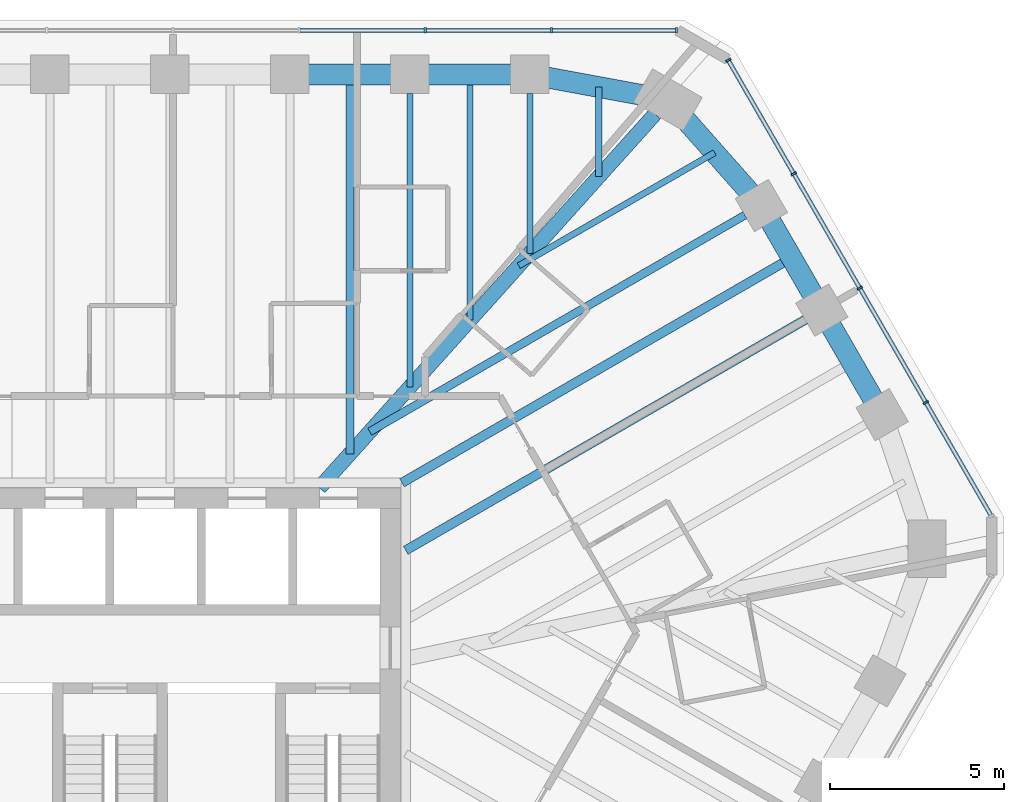
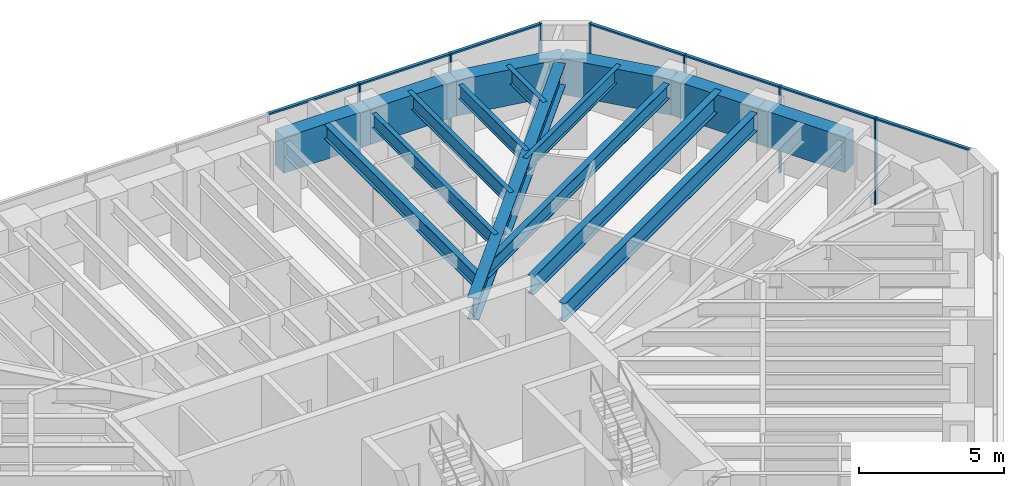
# One storey, part 7 of 14: 16 beams, 14 members, 2 elements without a shape of their own.
"""IFC4 building model written with IfcOpenShell, lengths in metres."""

from ifc_helpers import new_model, si_unit, direction, frame, origin, origin_2d, place, context, subcontext, project, spatial, rectangle, i_section, extrude, material, material_profile, profile_set, type_object, element, aggregate, save


model = new_model("IFC4")

# Units and contexts
model_context = context("Model", 3, precision=1e-05, world=origin(), true_north=direction((0.0, 1.0)))
body_context = subcontext(model_context, "Body", "Model", "MODEL_VIEW")
ifc_project = project(units=[si_unit("LENGTHUNIT", "METRE"), si_unit("AREAUNIT", "SQUARE_METRE"), si_unit("VOLUMEUNIT", "CUBIC_METRE"), si_unit("PLANEANGLEUNIT", "RADIAN"), si_unit("MASSUNIT", "GRAM", prefix="KILO")], contexts=[model_context])

# Site, building, storey
site_placement = place(None, origin())
site = spatial("IfcSite", under=ifc_project, at=site_placement, CompositionType="ELEMENT")
building_placement = place(site_placement, origin())
building = spatial("IfcBuilding", under=site, at=building_placement, Name="Sandreach Pilgrim Tower", CompositionType="ELEMENT")
storey_placement = place(building_placement, frame((0.0, 0.0, 276.0)))
storey = spatial("IfcBuildingStorey", under=building, at=storey_placement, Name="L69", CompositionType="ELEMENT", Elevation=276.0)

# Curtain wall, members
ifc_material_1 = material(Name="Aluminium framed curtain wall", Category="aluminium")
curtain_wall_type = type_object("IfcCurtainWallType", Name="Suite tower curtain wall", PredefinedType="NOTDEFINED", material=ifc_material_1)
curtain_wall_1_placement = place(storey_placement, origin())
curtain_wall_1 = element("IfcCurtainWall", 1, at=curtain_wall_1_placement, inside=storey, type_object=curtain_wall_type, Name="CW-4 L69 N", PredefinedType="NOTDEFINED")
ifc_material_2 = material(Name="Aluminium extrusion", Category="aluminium")
ifc_material_profile_1 = material_profile(ifc_material_2, rectangle(XDim=0.06005859375, YDim=0.159912109375, at=origin_2d()), Name="CW-4M 60X160")
ifc_profile_set_1 = profile_set([ifc_material_profile_1], Name="Aluminium extrusion")
member_type_1 = type_object("IfcMemberType", Name="CW-4 mullion", PredefinedType="MULLION", material=ifc_profile_set_1)
member_1_placement = place(storey_placement, frame((9.0546875, 19.826416015625, 0.0), z_axis=(0.0, 0.0, 1.0), x_axis=(1.0, 0.0, 0.0)))
member_1 = element("IfcMember", 2, at=member_1_placement, type_object=member_type_1, Name="CW-4 mullion 8", PredefinedType="MULLION", context=body_context, shape_type="SweptSolid", body=[
    extrude(rectangle(XDim=0.06005859375, YDim=0.159912109375, at=origin_2d()), origin(), (0.0, 0.0, 1.0), 3.639892578125),
])
member_2_placement = place(storey_placement, frame((12.676513671875, 19.826416015625, 0.0), z_axis=(0.0, 0.0, 1.0), x_axis=(1.0, 0.0, 0.0)))
member_2 = element("IfcMember", 3, at=member_2_placement, type_object=member_type_1, Name="CW-4 mullion 9", PredefinedType="MULLION", context=body_context, shape_type="SweptSolid", body=[
    extrude(rectangle(XDim=0.06005859375, YDim=0.159912109375, at=origin_2d()), origin(), (0.0, 0.0, 1.0), 3.639892578125),
])
member_3_placement = place(storey_placement, frame((16.268310546875, 19.826416015625, 0.0), z_axis=(0.0, 0.0, 1.0), x_axis=(1.0, 0.0, 0.0)))
member_3 = element("IfcMember", 4, at=member_3_placement, type_object=member_type_1, Name="CW-4 mullion 10", PredefinedType="MULLION", context=body_context, shape_type="SweptSolid", body=[
    extrude(rectangle(XDim=0.06005859375, YDim=0.159912109375, at=origin_2d()), origin(), (0.0, 0.0, 1.0), 3.639892578125),
])

curtain_wall_2_placement = place(storey_placement, origin())
curtain_wall_2 = element("IfcCurtainWall", 5, at=curtain_wall_2_placement, inside=storey, type_object=curtain_wall_type, Name="CW-4 L69 NE", PredefinedType="NOTDEFINED")
member_4_placement = place(storey_placement, frame((17.7509765625, 18.970458984375, 0.0), z_axis=(0.0, 0.0, 1.0), x_axis=(0.5, -0.866025403784, 0.0)))
member_4 = element("IfcMember", 6, at=member_4_placement, type_object=member_type_1, Name="CW-4 mullion 1", PredefinedType="MULLION", context=body_context, shape_type="SweptSolid", body=[
    extrude(rectangle(XDim=0.06005859375, YDim=0.159912109375, at=origin_2d()), origin(), (0.0, 0.0, 1.0), 3.639892578125),
])
member_5_placement = place(storey_placement, frame((19.6318359375, 15.712646484375, 0.0), z_axis=(0.0, 0.0, 1.0), x_axis=(0.5, -0.866025403784, 0.0)))
member_5 = element("IfcMember", 7, at=member_5_placement, type_object=member_type_1, Name="CW-4 mullion 2", PredefinedType="MULLION", context=body_context, shape_type="SweptSolid", body=[
    extrude(rectangle(XDim=0.06005859375, YDim=0.159912109375, at=origin_2d()), origin(), (0.0, 0.0, 1.0), 3.639892578125),
])
member_6_placement = place(storey_placement, frame((21.527587890625, 12.428955078125, 0.0), z_axis=(0.0, 0.0, 1.0), x_axis=(0.5, -0.866025403784, 0.0)))
member_6 = element("IfcMember", 8, at=member_6_placement, type_object=member_type_1, Name="CW-4 mullion 3", PredefinedType="MULLION", context=body_context, shape_type="SweptSolid", body=[
    extrude(rectangle(XDim=0.06005859375, YDim=0.159912109375, at=origin_2d()), origin(), (0.0, 0.0, 1.0), 3.639892578125),
])
member_7_placement = place(storey_placement, frame((23.423583984375, 9.145263671875, 0.0), z_axis=(0.0, 0.0, 1.0), x_axis=(0.5, -0.866025403784, 0.0)))
member_7 = element("IfcMember", 9, at=member_7_placement, type_object=member_type_1, Name="CW-4 mullion 4", PredefinedType="MULLION", context=body_context, shape_type="SweptSolid", body=[
    extrude(rectangle(XDim=0.06005859375, YDim=0.159912109375, at=origin_2d()), origin(), (0.0, 0.0, 1.0), 3.639892578125),
])

# Member
ifc_material_3 = material(Name="Aluminium extrusion", Category="aluminium")
ifc_material_profile_2 = material_profile(ifc_material_3, rectangle(XDim=0.1201171875, YDim=0.070068359375, at=origin_2d()), Name="CW-4T 120X70")
ifc_profile_set_2 = profile_set([ifc_material_profile_2], Name="Aluminium extrusion")
member_type_2 = type_object("IfcMemberType", Name="CW-4 transom", PredefinedType="USERDEFINED", material=ifc_profile_set_2)
member_8_placement = place(storey_placement, frame((5.462890625, 19.826416015625, 3.60498046875), z_axis=(1.0, 0.0, 0.0), x_axis=(0.0, 1.0, 0.0)))
member_8 = element("IfcMember", 10, at=member_8_placement, type_object=member_type_2, Name="CW-4 head transom 7", ObjectType="TRANSOM", PredefinedType="USERDEFINED", context=body_context, shape_type="SweptSolid", body=[
    extrude(rectangle(XDim=0.1201171875, YDim=0.070068359375, at=origin_2d()), origin(), (0.0, 0.0, 1.0), 3.561767578125),
])

member_9_placement = place(storey_placement, frame((9.084716796875, 19.826416015625, 3.60498046875), z_axis=(1.0, 0.0, 0.0), x_axis=(0.0, 1.0, 0.0)))
member_9 = element("IfcMember", 11, at=member_9_placement, type_object=member_type_2, Name="CW-4 head transom 8", ObjectType="TRANSOM", PredefinedType="USERDEFINED", context=body_context, shape_type="SweptSolid", body=[
    extrude(rectangle(XDim=0.1201171875, YDim=0.070068359375, at=origin_2d()), origin(), (0.0, 0.0, 1.0), 3.561767578125),
])

member_10_placement = place(storey_placement, frame((12.70654296875, 19.826416015625, 3.60498046875), z_axis=(1.0, 0.0, 0.0), x_axis=(0.0, 1.0, 0.0)))
member_10 = element("IfcMember", 12, at=member_10_placement, type_object=member_type_2, Name="CW-4 head transom 9", ObjectType="TRANSOM", PredefinedType="USERDEFINED", context=body_context, shape_type="SweptSolid", body=[
    extrude(rectangle(XDim=0.1201171875, YDim=0.070068359375, at=origin_2d()), origin(), (0.0, 0.0, 1.0), 3.53173828125),
])

aggregate(curtain_wall_1, [member_1, member_2, member_3, member_8, member_9, member_10])

member_11_placement = place(storey_placement, frame((17.76611328125, 18.944580078125, 3.60498046875), z_axis=(0.499990780478, -0.866030726613, 0.0), x_axis=(0.866030726613, 0.499990780478, 0.0)))
member_11 = element("IfcMember", 13, at=member_11_placement, type_object=member_type_2, Name="CW-4 head transom 1", ObjectType="TRANSOM", PredefinedType="USERDEFINED", context=body_context, shape_type="SweptSolid", body=[
    extrude(rectangle(XDim=0.1201171875, YDim=0.070068359375, at=origin_2d()), origin(), (0.0, 0.0, 1.0), 3.70166015625),
])

member_12_placement = place(storey_placement, frame((19.646728515625, 15.686767578125, 3.60498046875), z_axis=(0.500030151002, -0.866007995396, 0.0), x_axis=(0.866007995396, 0.500030151002, 0.0)))
member_12 = element("IfcMember", 14, at=member_12_placement, type_object=member_type_2, Name="CW-4 head transom 2", ObjectType="TRANSOM", PredefinedType="USERDEFINED", context=body_context, shape_type="SweptSolid", body=[
    extrude(rectangle(XDim=0.1201171875, YDim=0.070068359375, at=origin_2d()), origin(), (0.0, 0.0, 1.0), 3.731689453125),
])

member_13_placement = place(storey_placement, frame((21.542724609375, 12.403076171875, 3.60498046875), z_axis=(0.499981083104, -0.866036325184, 0.0), x_axis=(0.866036325184, 0.499981083104, 0.0)))
member_13 = element("IfcMember", 15, at=member_13_placement, type_object=member_type_2, Name="CW-4 head transom 3", ObjectType="TRANSOM", PredefinedType="USERDEFINED", context=body_context, shape_type="SweptSolid", body=[
    extrude(rectangle(XDim=0.1201171875, YDim=0.070068359375, at=origin_2d()), origin(), (0.0, 0.0, 1.0), 3.731689453125),
])

member_14_placement = place(storey_placement, frame((23.4384765625, 9.119384765625, 3.60498046875), z_axis=(0.499990780478, -0.866030726613, 0.0), x_axis=(0.866030726613, 0.499990780478, 0.0)))
member_14 = element("IfcMember", 16, at=member_14_placement, type_object=member_type_2, Name="CW-4 head transom 4", ObjectType="TRANSOM", PredefinedType="USERDEFINED", context=body_context, shape_type="SweptSolid", body=[
    extrude(rectangle(XDim=0.1201171875, YDim=0.070068359375, at=origin_2d()), origin(), (0.0, 0.0, 1.0), 3.70166015625),
])

aggregate(curtain_wall_2, [member_4, member_5, member_6, member_7, member_11, member_12, member_13, member_14])

# Beams
ifc_material_4 = material(Name="Steel ASTM A992 Grade 50", Category="steel")
ifc_material_profile_3 = material_profile(ifc_material_4, i_section(OverallWidth=0.419189453125, OverallDepth=0.927001953125, WebThickness=0.019287109375, FlangeThickness=0.031982421875, at=origin_2d()), Name="W36X231")
ifc_profile_set_3 = profile_set([ifc_material_profile_3], Name="Steel ASTM A992 Grade 50")
beam_type_1 = type_object("IfcBeamType", Name="Corner girder W36X231", PredefinedType="BEAM", material=ifc_profile_set_3)
beam_1_placement = place(storey_placement, frame((15.649169921875, 17.427978515625, 3.176513671875), z_axis=(-0.668114851597, -0.74405815974, 0.0), x_axis=(0.74405815974, -0.668114851597, 0.0)))
element("IfcBeam", 17, at=beam_1_placement, inside=storey, type_object=beam_type_1, Name="BM L69 CG09", PredefinedType="BEAM", context=body_context, shape_type="SweptSolid", body=[
    extrude(i_section(OverallWidth=0.419189453125, OverallDepth=0.927001953125, WebThickness=0.019287109375, FlangeThickness=0.031982421875, at=origin_2d()), origin(), (0.0, 0.0, 1.0), 14.418212890625),
])
ifc_material_5 = material(Name="Steel ASTM A992 Grade 50", Category="steel")
ifc_material_profile_4 = material_profile(ifc_material_5, i_section(OverallWidth=0.1787109375, OverallDepth=0.60205078125, WebThickness=0.010986328125, FlangeThickness=0.014892578125, at=origin_2d()), Name="W24X62")
ifc_profile_set_4 = profile_set([ifc_material_profile_4], Name="Steel ASTM A992 Grade 50")
beam_type_2 = type_object("IfcBeamType", Name="Floor beam W24X62", PredefinedType="BEAM", material=ifc_profile_set_4)
beam_2_placement = place(storey_placement, frame((8.612548828125, 18.016357421875, 3.339111328125), z_axis=(0.0, -1.0, 0.0), x_axis=(1.0, 0.0, 0.0)))
element("IfcBeam", 18, at=beam_2_placement, inside=storey, type_object=beam_type_2, Name="BM L69 F07", PredefinedType="BEAM", context=body_context, shape_type="SweptSolid", body=[
    extrude(i_section(OverallWidth=0.1787109375, OverallDepth=0.60205078125, WebThickness=0.010986328125, FlangeThickness=0.014892578125, at=origin_2d()), origin(), (0.0, 0.0, 1.0), 8.4248046875),
])
beam_3_placement = place(storey_placement, frame((12.0576171875, 18.016357421875, 3.339111328125), z_axis=(0.0, -1.0, 0.0), x_axis=(1.0, 0.0, 0.0)))
element("IfcBeam", 19, at=beam_3_placement, inside=storey, type_object=beam_type_2, Name="BM L69 F08", PredefinedType="BEAM", context=body_context, shape_type="SweptSolid", body=[
    extrude(i_section(OverallWidth=0.1787109375, OverallDepth=0.60205078125, WebThickness=0.010986328125, FlangeThickness=0.014892578125, at=origin_2d()), origin(), (0.0, 0.0, 1.0), 4.58837890625),
])
beam_4_placement = place(storey_placement, frame((10.3349609375, 18.56640625, 3.339111328125), z_axis=(0.0, -1.0, 0.0), x_axis=(1.0, 0.0, 0.0)))
element("IfcBeam", 20, at=beam_4_placement, inside=storey, type_object=beam_type_2, Name="BM L69 FM07", PredefinedType="BEAM", context=body_context, shape_type="SweptSolid", body=[
    extrude(i_section(OverallWidth=0.1787109375, OverallDepth=0.60205078125, WebThickness=0.010986328125, FlangeThickness=0.014892578125, at=origin_2d()), origin(), (0.0, 0.0, 1.0), 7.056640625),
])
beam_5_placement = place(storey_placement, frame((14.037109375, 18.201904296875, 3.339111328125), z_axis=(0.0, -1.0, 0.0), x_axis=(1.0, 0.0, 0.0)))
element("IfcBeam", 21, at=beam_5_placement, inside=storey, type_object=beam_type_2, Name="BM L69 FM08", PredefinedType="BEAM", context=body_context, shape_type="SweptSolid", body=[
    extrude(i_section(OverallWidth=0.1787109375, OverallDepth=0.60205078125, WebThickness=0.010986328125, FlangeThickness=0.014892578125, at=origin_2d()), origin(), (0.0, 0.0, 1.0), 2.5693359375),
])
beam_6_placement = place(storey_placement, frame((17.360107421875, 16.31884765625, 3.339111328125), z_axis=(-0.866023980233, -0.500002465655, 0.0), x_axis=(0.500002465655, -0.866023980233, 0.0)))
element("IfcBeam", 22, at=beam_6_placement, inside=storey, type_object=beam_type_2, Name="BM L69 FM09", PredefinedType="BEAM", context=body_context, shape_type="SweptSolid", body=[
    extrude(i_section(OverallWidth=0.1787109375, OverallDepth=0.60205078125, WebThickness=0.010986328125, FlangeThickness=0.014892578125, at=origin_2d()), origin(), (0.0, 0.0, 1.0), 6.49072265625),
])
ifc_material_6 = material(Name="Steel ASTM A992 Grade 50", Category="steel")
ifc_material_profile_5 = material_profile(ifc_material_6, i_section(OverallWidth=0.23046875, OverallDepth=0.6171875, WebThickness=0.01318359375, FlangeThickness=0.022216796875, at=origin_2d()), Name="W24X94")
ifc_profile_set_5 = profile_set([ifc_material_profile_5], Name="Steel ASTM A992 Grade 50")
beam_type_3 = type_object("IfcBeamType", Name="Floor beam W24X94", PredefinedType="BEAM", material=ifc_profile_set_5)
beam_7_placement = place(storey_placement, frame((18.227294921875, 14.525390625, 3.331298828125), z_axis=(-0.866020427415, -0.500008619226, 0.0), x_axis=(0.500008619226, -0.866020427415, 0.0)))
element("IfcBeam", 23, at=beam_7_placement, inside=storey, type_object=beam_type_3, Name="BM L69 F10", PredefinedType="BEAM", context=body_context, shape_type="SweptSolid", body=[
    extrude(i_section(OverallWidth=0.23046875, OverallDepth=0.6171875, WebThickness=0.01318359375, FlangeThickness=0.022216796875, at=origin_2d()), origin(), (0.0, 0.0, 1.0), 12.431396484375),
])
beam_8_placement = place(storey_placement, frame((6.89013671875, 18.56640625, 3.331298828125), z_axis=(0.0, -1.0, 0.0), x_axis=(1.0, 0.0, 0.0)))
element("IfcBeam", 24, at=beam_8_placement, inside=storey, type_object=beam_type_3, Name="BM L69 FM06", PredefinedType="BEAM", context=body_context, shape_type="SweptSolid", body=[
    extrude(i_section(OverallWidth=0.23046875, OverallDepth=0.6171875, WebThickness=0.01318359375, FlangeThickness=0.022216796875, at=origin_2d()), origin(), (0.0, 0.0, 1.0), 10.893310546875),
])
ifc_material_7 = material(Name="Steel ASTM A992 Grade 50", Category="steel")
ifc_material_profile_6 = material_profile(ifc_material_7, i_section(OverallWidth=0.2666015625, OverallDepth=0.761962890625, WebThickness=0.014404296875, FlangeThickness=0.021484375, at=origin_2d()), Name="W30X116")
ifc_profile_set_6 = profile_set([ifc_material_profile_6], Name="Steel ASTM A992 Grade 50")
beam_type_4 = type_object("IfcBeamType", Name="Floor beam W30X116", PredefinedType="BEAM", material=ifc_profile_set_6)
beam_9_placement = place(storey_placement, frame((19.960205078125, 11.52392578125, 3.259033203125), z_axis=(-0.86602530353, -0.500000173646, 0.0), x_axis=(0.500000173646, -0.86602530353, 0.0)))
element("IfcBeam", 25, at=beam_9_placement, inside=storey, type_object=beam_type_4, Name="BM L69 F11", PredefinedType="BEAM", context=body_context, shape_type="SweptSolid", body=[
    extrude(i_section(OverallWidth=0.2666015625, OverallDepth=0.761962890625, WebThickness=0.014404296875, FlangeThickness=0.021484375, at=origin_2d()), origin(), (0.0, 0.0, 1.0), 13.24072265625),
])
beam_10_placement = place(storey_placement, frame((19.570068359375, 13.299560546875, 3.259033203125), z_axis=(-0.866025008595, -0.500000684488, 0.0), x_axis=(0.500000684488, -0.866025008595, 0.0)))
element("IfcBeam", 26, at=beam_10_placement, inside=storey, type_object=beam_type_4, Name="BM L69 FM10", PredefinedType="BEAM", context=body_context, shape_type="SweptSolid", body=[
    extrude(i_section(OverallWidth=0.2666015625, OverallDepth=0.761962890625, WebThickness=0.014404296875, FlangeThickness=0.021484375, at=origin_2d()), origin(), (0.0, 0.0, 1.0), 12.91259765625),
])
ifc_material_8 = material(Name="Concrete 10000 psi", Category="concrete")
ifc_material_profile_7 = material_profile(ifc_material_8, rectangle(XDim=0.60009765625, YDim=1.5, at=origin_2d()), Name="RC600X1500")
ifc_profile_set_7 = profile_set([ifc_material_profile_7], Name="Concrete 10000 psi")
beam_type_5 = type_object("IfcBeamType", Name="Spandrel beam RC600X1500", PredefinedType="SPANDREL", material=ifc_profile_set_7)
for number, where, z_axis, x_axis, name in (
    (27, (5.16748046875, 18.56640625, 2.889892578125), (1.0, 0.0, 0.0), (0.0, 1.0, 0.0), "BM L69 SP06"),
    (28, (8.612548828125, 18.56640625, 2.889892578125), (1.0, 0.0, 0.0), (0.0, 1.0, 0.0), "BM L69 SP07"),
):
    element("IfcBeam", number, at=place(storey_placement, frame(where, z_axis=z_axis, x_axis=x_axis)), inside=storey, type_object=beam_type_5, Name=name, PredefinedType="SPANDREL", context=body_context, shape_type="SweptSolid", body=[
        extrude(rectangle(XDim=0.60009765625, YDim=1.5, at=origin_2d()), origin(), (0.0, 0.0, 1.0), 3.445068359375),
    ])
beam_11_placement = place(storey_placement, frame((12.0576171875, 18.56640625, 2.889892578125), z_axis=(0.983454894629, -0.181153167875, 0.0), x_axis=(0.181153167875, 0.983454894629, 0.0)))
element("IfcBeam", 29, at=beam_11_placement, inside=storey, type_object=beam_type_5, Name="BM L69 SP08", PredefinedType="SPANDREL", context=body_context, shape_type="SweptSolid", body=[
    extrude(rectangle(XDim=0.60009765625, YDim=1.5, at=origin_2d()), origin(), (0.0, 0.0, 1.0), 4.025634765625),
])
beam_12_placement = place(storey_placement, frame((16.0166015625, 17.837158203125, 2.889892578125), z_axis=(0.662650525414, -0.748928755736, 0.0), x_axis=(0.748928755736, 0.662650525414, 0.0)))
element("IfcBeam", 30, at=beam_12_placement, inside=storey, type_object=beam_type_5, Name="BM L69 SP09", PredefinedType="SPANDREL", context=body_context, shape_type="SweptSolid", body=[
    extrude(rectangle(XDim=0.60009765625, YDim=1.5, at=origin_2d()), origin(), (0.0, 0.0, 1.0), 4.054931640625),
])
for number, where, z_axis, x_axis, name in (
    (31, (18.70361328125, 14.80029296875, 2.889892578125), (0.500033451825, -0.866006089503, 0.0), (0.866006089503, 0.500033451825, 0.0), "BM L69 SP10"),
    (32, (20.4365234375, 11.799072265625, 2.889892578125), (0.499980616072, -0.866036594811, 0.0), (0.866036594811, 0.499980616072, 0.0), "BM L69 SP11"),
):
    element("IfcBeam", number, at=place(storey_placement, frame(where, z_axis=z_axis, x_axis=x_axis)), inside=storey, type_object=beam_type_5, Name=name, PredefinedType="SPANDREL", context=body_context, shape_type="SweptSolid", body=[
        extrude(rectangle(XDim=0.60009765625, YDim=1.5, at=origin_2d()), origin(), (0.0, 0.0, 1.0), 3.465576171875),
    ])

save(model, "model.ifc")
